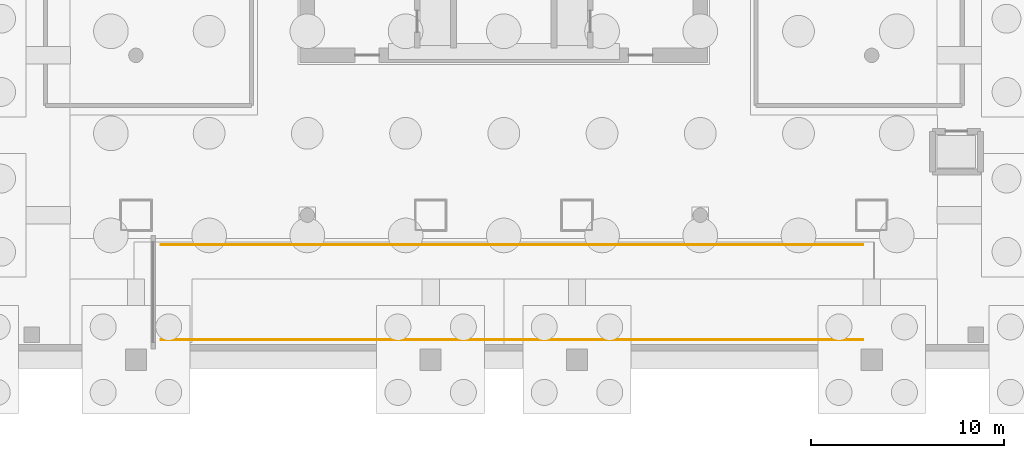
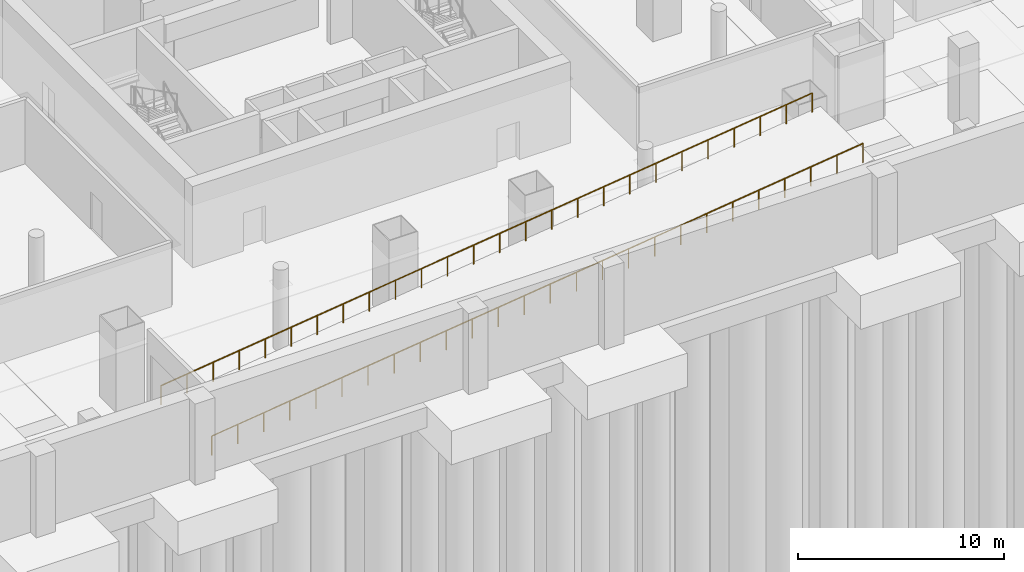
# One storey, part 7 of 11: 2 railings.
"""IFC4 building model written with IfcOpenShell, lengths in metres."""

import ifcopenshell
import ifcopenshell.guid

model = None  # the IFC model being written
_history = None  # IfcOwnerHistory: only IFC2X3 demands one
_inside = {}  # id of a spatial element -> (the spatial element, [elements in it])
_under = {}  # id of a project, library or spatial element -> (it, [spatial elements below it])
_declared = {}  # id of a project -> (the project, [libraries it declares])
_typed = {}  # id of a type object -> (the type object, [elements of that type])
_made_of = {}  # id of a material, layer set ... -> (it, [elements and type objects made of it])


def new_model(schema):
    """Start an empty IFC model of exactly this schema.

    Asked for "IFC4X3", IfcOpenShell would pick the latest addendum, in which some entities
    have other attributes; the version numbers below select the first issue.
    IFC2X3 requires an IfcOwnerHistory on every rooted entity: one is made here for all.
    """
    global model, _history
    if schema == "IFC4X3":
        model = ifcopenshell.file(schema_version=(4, 3, 0, 0))
    else:
        model = ifcopenshell.file(schema=schema)
    _inside.clear()
    _under.clear()
    _declared.clear()
    _typed.clear()
    _made_of.clear()
    _history = None
    if model.schema == "IFC2X3":
        org = make("IfcOrganization", Name="unknown")
        user = make(
            "IfcPersonAndOrganization",
            ThePerson=make("IfcPerson", FamilyName="unknown"),
            TheOrganization=org,
        )
        app = make(
            "IfcApplication",
            ApplicationDeveloper=org,
            Version="unknown",
            ApplicationFullName="unknown",
            ApplicationIdentifier="unknown",
        )
        _history = make(
            "IfcOwnerHistory",
            OwningUser=user,
            OwningApplication=app,
            ChangeAction="ADDED",
            CreationDate=0,
        )
    return model


def make(cls, **values):
    """One entity of the class cls with the attributes given. An attribute that is None is left unset."""
    return model.create_entity(
        cls, **{name: value for name, value in values.items() if value is not None}
    )


def rooted(cls, **values):
    """An entity with a GlobalId (a new one), such as an element, a storey or a relation."""
    return make(cls, GlobalId=ifcopenshell.guid.new(), OwnerHistory=_history, **values)


def si_unit(unit_type, name, prefix=None):
    """IfcSIUnit, for example si_unit("LENGTHUNIT", "METRE", prefix="MILLI")."""
    return make("IfcSIUnit", UnitType=unit_type, Prefix=prefix, Name=name)


def assignment(units):
    """IfcUnitAssignment: the units of a project."""
    return None if units is None else make("IfcUnitAssignment", Units=units)


def point(xyz):
    """IfcCartesianPoint."""
    return None if xyz is None else make("IfcCartesianPoint", Coordinates=xyz)


def direction(xyz):
    """IfcDirection."""
    return None if xyz is None else make("IfcDirection", DirectionRatios=xyz)


def frame(location, z_axis=None, x_axis=None):
    """IfcAxis2Placement3D, a coordinate frame: its origin and axes. An axis left out is left unset."""
    return make(
        "IfcAxis2Placement3D",
        Location=point(location),
        Axis=direction(z_axis),
        RefDirection=direction(x_axis),
    )


def frame_2d(location, x_axis=None):
    """IfcAxis2Placement2D, a coordinate frame in the plane: its origin and x axis."""
    return make(
        "IfcAxis2Placement2D", Location=point(location), RefDirection=direction(x_axis)
    )


def origin():
    """The frame at (0, 0, 0) with its axes left unset."""
    return frame((0.0, 0.0, 0.0))


def origin_2d():
    """The frame at (0, 0) in the plane with its x axis left unset."""
    return frame_2d((0.0, 0.0))


def place(relative_to, where):
    """IfcLocalPlacement: puts the frame where relative to a parent placement (None: the world)."""
    return make(
        "IfcLocalPlacement", PlacementRelTo=relative_to, RelativePlacement=where
    )


def context(
    kind, dimensions, precision=None, world=None, true_north=None, identifier=None
):
    """IfcGeometricRepresentationContext, for example the 3D "Model" context."""
    return make(
        "IfcGeometricRepresentationContext",
        ContextIdentifier=identifier,
        ContextType=kind,
        CoordinateSpaceDimension=dimensions,
        Precision=precision,
        WorldCoordinateSystem=world,
        TrueNorth=true_north,
    )


def subcontext(parent, identifier, kind, view, scale=None):
    """IfcGeometricRepresentationSubContext, for example "Body" below "Model"."""
    return make(
        "IfcGeometricRepresentationSubContext",
        ContextIdentifier=identifier,
        ContextType=kind,
        ParentContext=parent,
        TargetScale=scale,
        TargetView=view,
    )


def project(units=None, contexts=None):
    """IfcProject with its units and contexts."""
    return rooted(
        "IfcProject",
        Name="project",
        RepresentationContexts=contexts,
        UnitsInContext=assignment(units),
    )


def spatial(cls, under=None, at=None, **own):
    """A site, building, storey or space (cls), placed at a placement, below another one or the project."""
    s = rooted(cls, ObjectPlacement=at, **own)
    if under is not None:
        _under.setdefault(under.id(), (under, []))[1].append(s)
    return s


def profile(cls, at=None, kind="AREA", **sizes):
    """A parametric profile (cls). Its sizes go by their IFC names, for example OverallWidth=200.0."""
    return make(cls, ProfileType=kind, Position=at, **sizes)


def circle(**sizes):
    """IfcCircleProfileDef."""
    return profile("IfcCircleProfileDef", **sizes)


def extrude(swept, where, along, depth):
    """IfcExtrudedAreaSolid: the profile swept, set in the frame where, extruded along a direction by depth."""
    return make(
        "IfcExtrudedAreaSolid",
        SweptArea=swept,
        Position=where,
        ExtrudedDirection=direction(along),
        Depth=depth,
    )


def shape(context_of_items, identifier, shape_type, items):
    """IfcShapeRepresentation: the items that make up one representation, for example the "Body"."""
    return make(
        "IfcShapeRepresentation",
        ContextOfItems=context_of_items,
        RepresentationIdentifier=identifier,
        RepresentationType=shape_type,
        Items=items,
    )


def material(Name=None, Category=None):
    """IfcMaterial."""
    return make("IfcMaterial", Name=Name, Category=Category)


def made_of(thing, what):
    """Note that an element or type object is made of a material, layer set ...; save() writes the relation."""
    if what is not None:
        _made_of.setdefault(what.id(), (what, []))[1].append(thing)
    return thing


def type_object(cls, material=None, **own):
    """A type object (cls), such as IfcWallType, which elements share."""
    return made_of(rooted(cls, **own), material)


def element(
    cls,
    number,
    at=None,
    inside=None,
    cuts=None,
    type_object=None,
    material=None,
    context=None,
    identifier="Body",
    shape_type=None,
    held_by="IfcProductDefinitionShape",
    body=None,
    shapes=None,
    **own,
):
    """One element of the class cls, such as IfcWall. Its Tag is "e" and its number.

    at: its placement. inside: the storey or other place that contains it. cuts: it is an
    opening in that element (IfcRelVoidsElement). A single representation is given by context,
    identifier, shape_type and body (its items); several are given by shapes. held_by: the class
    of the entity that holds the representations. save() writes the other relations.
    """
    e = rooted(cls, Tag="e%d" % number, ObjectPlacement=at, **own)
    if body is not None:
        shapes = [shape(context, identifier, shape_type, body)]
    if shapes is not None:
        e.Representation = make(held_by, Representations=shapes)
    if inside is not None:
        _inside.setdefault(inside.id(), (inside, []))[1].append(e)
    if cuts is not None:
        rooted(
            "IfcRelVoidsElement", RelatingBuildingElement=cuts, RelatedOpeningElement=e
        )
    if type_object is not None:
        _typed.setdefault(type_object.id(), (type_object, []))[1].append(e)
    return made_of(e, material)


def aggregate(whole, parts):
    """IfcRelAggregates: a whole, such as a stair, and the parts it consists of."""
    return rooted("IfcRelAggregates", RelatingObject=whole, RelatedObjects=parts)


def save(model, path):
    """Write the relations noted so far, then the file.

    IfcRelAggregates (storeys below a building ...), IfcRelContainedInSpatialStructure (elements
    in a storey), IfcRelDefinesByType, IfcRelAssociatesMaterial and IfcRelDeclares: one each for
    every whole, place, type object, material and project.
    """
    for whole, parts in _under.values():
        aggregate(whole, parts)
    for where, things in _inside.values():
        rooted(
            "IfcRelContainedInSpatialStructure",
            RelatedElements=things,
            RelatingStructure=where,
        )
    for kind, things in _typed.values():
        rooted("IfcRelDefinesByType", RelatedObjects=things, RelatingType=kind)
    for what, things in _made_of.values():
        rooted("IfcRelAssociatesMaterial", RelatedObjects=things, RelatingMaterial=what)
    for by, libraries in _declared.values():
        rooted("IfcRelDeclares", RelatingContext=by, RelatedDefinitions=libraries)
    model.write(path)


model = new_model("IFC4")

# Units and contexts
model_context = context("Model", 3, precision=1e-05, world=origin(), true_north=direction((0.0, 1.0)))
body_context = subcontext(model_context, "Body", "Model", "MODEL_VIEW")
ifc_project = project(units=[si_unit("LENGTHUNIT", "METRE"), si_unit("AREAUNIT", "SQUARE_METRE"), si_unit("VOLUMEUNIT", "CUBIC_METRE"), si_unit("PLANEANGLEUNIT", "RADIAN"), si_unit("MASSUNIT", "GRAM", prefix="KILO")], contexts=[model_context])

# Site, building, storey
site_placement = place(None, origin())
site = spatial("IfcSite", under=ifc_project, at=site_placement, CompositionType="ELEMENT")
building_placement = place(site_placement, origin())
building = spatial("IfcBuilding", under=site, at=building_placement, Name="Punatoya Terracotta Tower", CompositionType="ELEMENT")
storey_placement = place(building_placement, frame((0.0, 0.0, -9.60009765625)))
storey = spatial("IfcBuildingStorey", under=building, at=storey_placement, Name="B2", CompositionType="ELEMENT", Elevation=-9.60009765625)

# Railings
ifc_material = material(Name="Steel S355", Category="steel")
railing_type = type_object("IfcRailingType", Name="RLG-GRD-1150", PredefinedType="GUARDRAIL", material=ifc_material)
railing_1_placement = place(storey_placement, frame((-17.800048828125, -23.9599609375, 0.175048828125)))
element("IfcRailing", 1, at=railing_1_placement, inside=storey, type_object=railing_type, Name="VR-1 South Ramp Guard", PredefinedType="GUARDRAIL", context=body_context, shape_type="SweptSolid", body=[
    extrude(circle(Radius=0.02392578125, at=origin_2d()), frame((0.0, 0.0, 1.1259765625), z_axis=(0.992277365456, 0.0, 0.124038824584), x_axis=(0.0, 1.0, 0.0)), (0.0, 0.0, 1.0), 36.733642578125),
    extrude(circle(Radius=0.02099609375, at=origin_2d()), origin(), (0.0, 0.0, 1.0), 1.101806640625),
    extrude(circle(Radius=0.02099609375, at=origin_2d()), frame((1.4580078125, 0.0, 0.182373046875)), (0.0, 0.0, 1.0), 1.101806640625),
    extrude(circle(Radius=0.02099609375, at=origin_2d()), frame((2.916015625, 0.0, 0.364501953125)), (0.0, 0.0, 1.0), 1.101806640625),
    extrude(circle(Radius=0.02099609375, at=origin_2d()), frame((4.3740234375, 0.0, 0.546875)), (0.0, 0.0, 1.0), 1.101806640625),
    extrude(circle(Radius=0.02099609375, at=origin_2d()), frame((5.83203125, 0.0, 0.72900390625)), (0.0, 0.0, 1.0), 1.101806640625),
    extrude(circle(Radius=0.02099609375, at=origin_2d()), frame((7.2900390625, 0.0, 0.911376953125)), (0.0, 0.0, 1.0), 1.101806640625),
    extrude(circle(Radius=0.02099609375, at=origin_2d()), frame((8.748046875, 0.0, 1.093505859375)), (0.0, 0.0, 1.0), 1.101806640625),
    extrude(circle(Radius=0.02099609375, at=origin_2d()), frame((10.2060546875, 0.0, 1.27587890625)), (0.0, 0.0, 1.0), 1.101806640625),
    extrude(circle(Radius=0.02099609375, at=origin_2d()), frame((11.6640625, 0.0, 1.4580078125)), (0.0, 0.0, 1.0), 1.101806640625),
    extrude(circle(Radius=0.02099609375, at=origin_2d()), frame((13.1220703125, 0.0, 1.640380859375)), (0.0, 0.0, 1.0), 1.101806640625),
    extrude(circle(Radius=0.02099609375, at=origin_2d()), frame((14.580078125, 0.0, 1.822509765625)), (0.0, 0.0, 1.0), 1.101806640625),
    extrude(circle(Radius=0.02099609375, at=origin_2d()), frame((16.0380859375, 0.0, 2.0048828125)), (0.0, 0.0, 1.0), 1.101806640625),
    extrude(circle(Radius=0.02099609375, at=origin_2d()), frame((17.49609375, 0.0, 2.18701171875)), (0.0, 0.0, 1.0), 1.101806640625),
    extrude(circle(Radius=0.02099609375, at=origin_2d()), frame((18.953857421875, 0.0, 2.369384765625)), (0.0, 0.0, 1.0), 1.101806640625),
    extrude(circle(Radius=0.02099609375, at=origin_2d()), frame((20.411865234375, 0.0, 2.551513671875)), (0.0, 0.0, 1.0), 1.101806640625),
    extrude(circle(Radius=0.02099609375, at=origin_2d()), frame((21.869873046875, 0.0, 2.73388671875)), (0.0, 0.0, 1.0), 1.101806640625),
    extrude(circle(Radius=0.02099609375, at=origin_2d()), frame((23.327880859375, 0.0, 2.916015625)), (0.0, 0.0, 1.0), 1.101806640625),
    extrude(circle(Radius=0.02099609375, at=origin_2d()), frame((24.785888671875, 0.0, 3.098388671875)), (0.0, 0.0, 1.0), 1.101806640625),
    extrude(circle(Radius=0.02099609375, at=origin_2d()), frame((26.243896484375, 0.0, 3.280517578125)), (0.0, 0.0, 1.0), 1.101806640625),
    extrude(circle(Radius=0.02099609375, at=origin_2d()), frame((27.701904296875, 0.0, 3.462890625)), (0.0, 0.0, 1.0), 1.101806640625),
    extrude(circle(Radius=0.02099609375, at=origin_2d()), frame((29.159912109375, 0.0, 3.64501953125)), (0.0, 0.0, 1.0), 1.101806640625),
    extrude(circle(Radius=0.02099609375, at=origin_2d()), frame((30.617919921875, 0.0, 3.827392578125)), (0.0, 0.0, 1.0), 1.101806640625),
    extrude(circle(Radius=0.02099609375, at=origin_2d()), frame((32.075927734375, 0.0, 4.009521484375)), (0.0, 0.0, 1.0), 1.101806640625),
    extrude(circle(Radius=0.02099609375, at=origin_2d()), frame((33.533935546875, 0.0, 4.19189453125)), (0.0, 0.0, 1.0), 1.101806640625),
    extrude(circle(Radius=0.02099609375, at=origin_2d()), frame((34.991943359375, 0.0, 4.3740234375)), (0.0, 0.0, 1.0), 1.101806640625),
    extrude(circle(Radius=0.02099609375, at=origin_2d()), frame((36.449951171875, 0.0, 4.556396484375)), (0.0, 0.0, 1.0), 1.101806640625),
])
railing_2_placement = place(storey_placement, frame((-17.800048828125, -19.0400390625, 0.175048828125)))
element("IfcRailing", 2, at=railing_2_placement, inside=storey, type_object=railing_type, Name="VR-1 North Ramp Guard", PredefinedType="GUARDRAIL", context=body_context, shape_type="SweptSolid", body=[
    extrude(circle(Radius=0.02392578125, at=origin_2d()), frame((0.0, 0.0, 1.1259765625), z_axis=(0.992277365456, 0.0, 0.124038824584), x_axis=(0.0, 1.0, 0.0)), (0.0, 0.0, 1.0), 36.733642578125),
    extrude(circle(Radius=0.02099609375, at=origin_2d()), origin(), (0.0, 0.0, 1.0), 1.101806640625),
    extrude(circle(Radius=0.02099609375, at=origin_2d()), frame((1.4580078125, 0.0, 0.182373046875)), (0.0, 0.0, 1.0), 1.101806640625),
    extrude(circle(Radius=0.02099609375, at=origin_2d()), frame((2.916015625, 0.0, 0.364501953125)), (0.0, 0.0, 1.0), 1.101806640625),
    extrude(circle(Radius=0.02099609375, at=origin_2d()), frame((4.3740234375, 0.0, 0.546875)), (0.0, 0.0, 1.0), 1.101806640625),
    extrude(circle(Radius=0.02099609375, at=origin_2d()), frame((5.83203125, 0.0, 0.72900390625)), (0.0, 0.0, 1.0), 1.101806640625),
    extrude(circle(Radius=0.02099609375, at=origin_2d()), frame((7.2900390625, 0.0, 0.911376953125)), (0.0, 0.0, 1.0), 1.101806640625),
    extrude(circle(Radius=0.02099609375, at=origin_2d()), frame((8.748046875, 0.0, 1.093505859375)), (0.0, 0.0, 1.0), 1.101806640625),
    extrude(circle(Radius=0.02099609375, at=origin_2d()), frame((10.2060546875, 0.0, 1.27587890625)), (0.0, 0.0, 1.0), 1.101806640625),
    extrude(circle(Radius=0.02099609375, at=origin_2d()), frame((11.6640625, 0.0, 1.4580078125)), (0.0, 0.0, 1.0), 1.101806640625),
    extrude(circle(Radius=0.02099609375, at=origin_2d()), frame((13.1220703125, 0.0, 1.640380859375)), (0.0, 0.0, 1.0), 1.101806640625),
    extrude(circle(Radius=0.02099609375, at=origin_2d()), frame((14.580078125, 0.0, 1.822509765625)), (0.0, 0.0, 1.0), 1.101806640625),
    extrude(circle(Radius=0.02099609375, at=origin_2d()), frame((16.0380859375, 0.0, 2.0048828125)), (0.0, 0.0, 1.0), 1.101806640625),
    extrude(circle(Radius=0.02099609375, at=origin_2d()), frame((17.49609375, 0.0, 2.18701171875)), (0.0, 0.0, 1.0), 1.101806640625),
    extrude(circle(Radius=0.02099609375, at=origin_2d()), frame((18.953857421875, 0.0, 2.369384765625)), (0.0, 0.0, 1.0), 1.101806640625),
    extrude(circle(Radius=0.02099609375, at=origin_2d()), frame((20.411865234375, 0.0, 2.551513671875)), (0.0, 0.0, 1.0), 1.101806640625),
    extrude(circle(Radius=0.02099609375, at=origin_2d()), frame((21.869873046875, 0.0, 2.73388671875)), (0.0, 0.0, 1.0), 1.101806640625),
    extrude(circle(Radius=0.02099609375, at=origin_2d()), frame((23.327880859375, 0.0, 2.916015625)), (0.0, 0.0, 1.0), 1.101806640625),
    extrude(circle(Radius=0.02099609375, at=origin_2d()), frame((24.785888671875, 0.0, 3.098388671875)), (0.0, 0.0, 1.0), 1.101806640625),
    extrude(circle(Radius=0.02099609375, at=origin_2d()), frame((26.243896484375, 0.0, 3.280517578125)), (0.0, 0.0, 1.0), 1.101806640625),
    extrude(circle(Radius=0.02099609375, at=origin_2d()), frame((27.701904296875, 0.0, 3.462890625)), (0.0, 0.0, 1.0), 1.101806640625),
    extrude(circle(Radius=0.02099609375, at=origin_2d()), frame((29.159912109375, 0.0, 3.64501953125)), (0.0, 0.0, 1.0), 1.101806640625),
    extrude(circle(Radius=0.02099609375, at=origin_2d()), frame((30.617919921875, 0.0, 3.827392578125)), (0.0, 0.0, 1.0), 1.101806640625),
    extrude(circle(Radius=0.02099609375, at=origin_2d()), frame((32.075927734375, 0.0, 4.009521484375)), (0.0, 0.0, 1.0), 1.101806640625),
    extrude(circle(Radius=0.02099609375, at=origin_2d()), frame((33.533935546875, 0.0, 4.19189453125)), (0.0, 0.0, 1.0), 1.101806640625),
    extrude(circle(Radius=0.02099609375, at=origin_2d()), frame((34.991943359375, 0.0, 4.3740234375)), (0.0, 0.0, 1.0), 1.101806640625),
    extrude(circle(Radius=0.02099609375, at=origin_2d()), frame((36.449951171875, 0.0, 4.556396484375)), (0.0, 0.0, 1.0), 1.101806640625),
])

save(model, "model.ifc")
